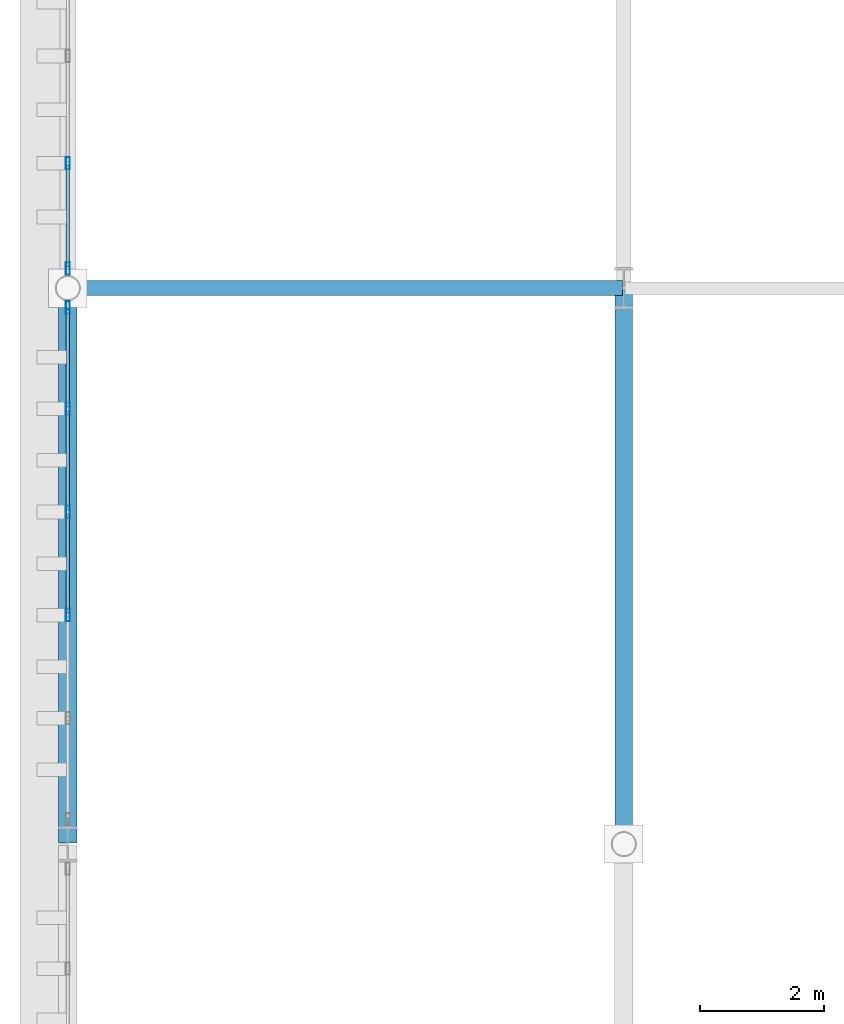
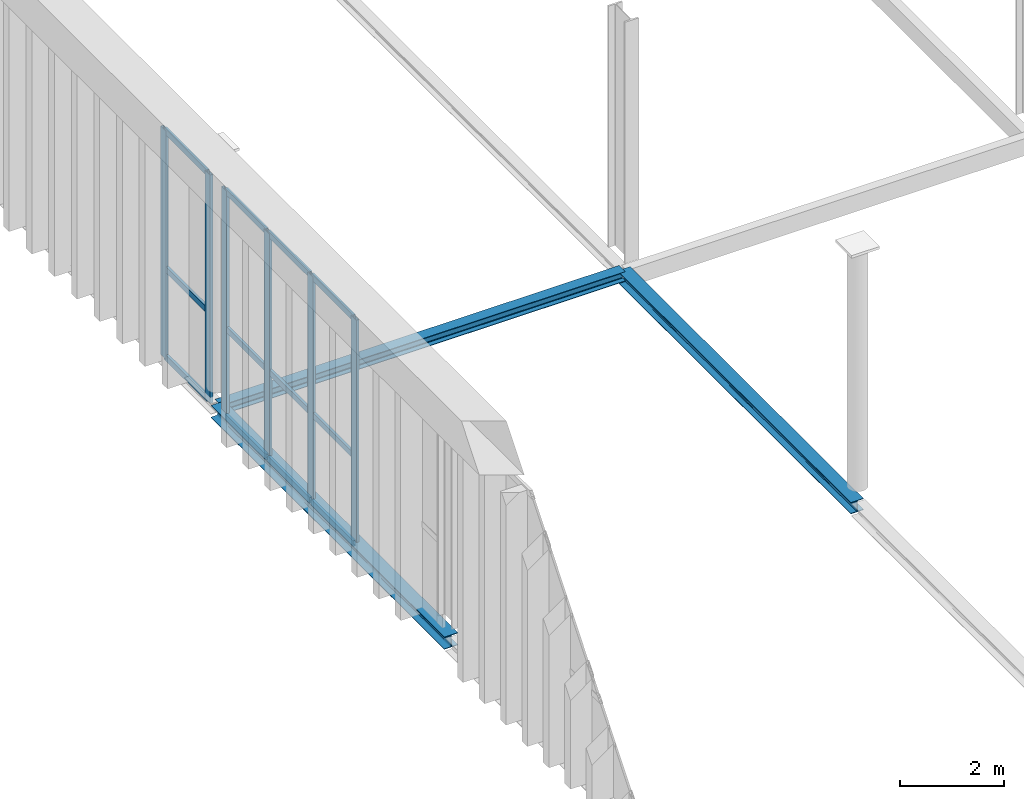
# One storey, part 94 of 237: 18 members, 3 beams, 2 elements without a shape of their own.
"""IFC4 building model written with IfcOpenShell, lengths in metres."""

import ifcopenshell
import ifcopenshell.guid

model = None  # the IFC model being written
_history = None  # IfcOwnerHistory: only IFC2X3 demands one
_inside = {}  # id of a spatial element -> (the spatial element, [elements in it])
_under = {}  # id of a project, library or spatial element -> (it, [spatial elements below it])
_declared = {}  # id of a project -> (the project, [libraries it declares])
_typed = {}  # id of a type object -> (the type object, [elements of that type])
_made_of = {}  # id of a material, layer set ... -> (it, [elements and type objects made of it])


def new_model(schema):
    """Start an empty IFC model of exactly this schema.

    Asked for "IFC4X3", IfcOpenShell would pick the latest addendum, in which some entities
    have other attributes; the version numbers below select the first issue.
    IFC2X3 requires an IfcOwnerHistory on every rooted entity: one is made here for all.
    """
    global model, _history
    if schema == "IFC4X3":
        model = ifcopenshell.file(schema_version=(4, 3, 0, 0))
    else:
        model = ifcopenshell.file(schema=schema)
    _inside.clear()
    _under.clear()
    _declared.clear()
    _typed.clear()
    _made_of.clear()
    _history = None
    if model.schema == "IFC2X3":
        org = make("IfcOrganization", Name="unknown")
        user = make(
            "IfcPersonAndOrganization",
            ThePerson=make("IfcPerson", FamilyName="unknown"),
            TheOrganization=org,
        )
        app = make(
            "IfcApplication",
            ApplicationDeveloper=org,
            Version="unknown",
            ApplicationFullName="unknown",
            ApplicationIdentifier="unknown",
        )
        _history = make(
            "IfcOwnerHistory",
            OwningUser=user,
            OwningApplication=app,
            ChangeAction="ADDED",
            CreationDate=0,
        )
    return model


def make(cls, **values):
    """One entity of the class cls with the attributes given. An attribute that is None is left unset."""
    return model.create_entity(
        cls, **{name: value for name, value in values.items() if value is not None}
    )


def rooted(cls, **values):
    """An entity with a GlobalId (a new one), such as an element, a storey or a relation."""
    return make(cls, GlobalId=ifcopenshell.guid.new(), OwnerHistory=_history, **values)


def si_unit(unit_type, name, prefix=None):
    """IfcSIUnit, for example si_unit("LENGTHUNIT", "METRE", prefix="MILLI")."""
    return make("IfcSIUnit", UnitType=unit_type, Prefix=prefix, Name=name)


def assignment(units):
    """IfcUnitAssignment: the units of a project."""
    return None if units is None else make("IfcUnitAssignment", Units=units)


def point(xyz):
    """IfcCartesianPoint."""
    return None if xyz is None else make("IfcCartesianPoint", Coordinates=xyz)


def direction(xyz):
    """IfcDirection."""
    return None if xyz is None else make("IfcDirection", DirectionRatios=xyz)


def frame(location, z_axis=None, x_axis=None):
    """IfcAxis2Placement3D, a coordinate frame: its origin and axes. An axis left out is left unset."""
    return make(
        "IfcAxis2Placement3D",
        Location=point(location),
        Axis=direction(z_axis),
        RefDirection=direction(x_axis),
    )


def frame_2d(location, x_axis=None):
    """IfcAxis2Placement2D, a coordinate frame in the plane: its origin and x axis."""
    return make(
        "IfcAxis2Placement2D", Location=point(location), RefDirection=direction(x_axis)
    )


def origin():
    """The frame at (0, 0, 0) with its axes left unset."""
    return frame((0.0, 0.0, 0.0))


def origin_2d():
    """The frame at (0, 0) in the plane with its x axis left unset."""
    return frame_2d((0.0, 0.0))


def place(relative_to, where):
    """IfcLocalPlacement: puts the frame where relative to a parent placement (None: the world)."""
    return make(
        "IfcLocalPlacement", PlacementRelTo=relative_to, RelativePlacement=where
    )


def context(
    kind, dimensions, precision=None, world=None, true_north=None, identifier=None
):
    """IfcGeometricRepresentationContext, for example the 3D "Model" context."""
    return make(
        "IfcGeometricRepresentationContext",
        ContextIdentifier=identifier,
        ContextType=kind,
        CoordinateSpaceDimension=dimensions,
        Precision=precision,
        WorldCoordinateSystem=world,
        TrueNorth=true_north,
    )


def subcontext(parent, identifier, kind, view, scale=None):
    """IfcGeometricRepresentationSubContext, for example "Body" below "Model"."""
    return make(
        "IfcGeometricRepresentationSubContext",
        ContextIdentifier=identifier,
        ContextType=kind,
        ParentContext=parent,
        TargetScale=scale,
        TargetView=view,
    )


def project(units=None, contexts=None):
    """IfcProject with its units and contexts."""
    return rooted(
        "IfcProject",
        Name="project",
        RepresentationContexts=contexts,
        UnitsInContext=assignment(units),
    )


def spatial(cls, under=None, at=None, **own):
    """A site, building, storey or space (cls), placed at a placement, below another one or the project."""
    s = rooted(cls, ObjectPlacement=at, **own)
    if under is not None:
        _under.setdefault(under.id(), (under, []))[1].append(s)
    return s


def profile(cls, at=None, kind="AREA", **sizes):
    """A parametric profile (cls). Its sizes go by their IFC names, for example OverallWidth=200.0."""
    return make(cls, ProfileType=kind, Position=at, **sizes)


def hollow_rectangle(**sizes):
    """IfcRectangleHollowProfileDef."""
    return profile("IfcRectangleHollowProfileDef", **sizes)


def i_section(**sizes):
    """IfcIShapeProfileDef."""
    return profile("IfcIShapeProfileDef", **sizes)


def extrude(swept, where, along, depth):
    """IfcExtrudedAreaSolid: the profile swept, set in the frame where, extruded along a direction by depth."""
    return make(
        "IfcExtrudedAreaSolid",
        SweptArea=swept,
        Position=where,
        ExtrudedDirection=direction(along),
        Depth=depth,
    )


def shape(context_of_items, identifier, shape_type, items):
    """IfcShapeRepresentation: the items that make up one representation, for example the "Body"."""
    return make(
        "IfcShapeRepresentation",
        ContextOfItems=context_of_items,
        RepresentationIdentifier=identifier,
        RepresentationType=shape_type,
        Items=items,
    )


def material(Name=None, Category=None):
    """IfcMaterial."""
    return make("IfcMaterial", Name=Name, Category=Category)


def layer(
    of_material, thickness, ventilated=None, Name=None, Category=None, Priority=None
):
    """IfcMaterialLayer: one layer of a wall or slab, of a material (None: an air gap)."""
    return make(
        "IfcMaterialLayer",
        Material=of_material,
        LayerThickness=thickness,
        IsVentilated=ventilated,
        Name=Name,
        Category=Category,
        Priority=Priority,
    )


def layer_set(layers, Name=None):
    """IfcMaterialLayerSet."""
    return make("IfcMaterialLayerSet", MaterialLayers=layers, LayerSetName=Name)


def material_profile(
    of_material, cross_section, Name=None, Category=None, Priority=None
):
    """IfcMaterialProfile: a cross section and its material."""
    return make(
        "IfcMaterialProfile",
        Name=Name,
        Material=of_material,
        Profile=cross_section,
        Priority=Priority,
        Category=Category,
    )


def profile_set(profiles, Name=None, composite=None):
    """IfcMaterialProfileSet."""
    return make(
        "IfcMaterialProfileSet",
        Name=Name,
        MaterialProfiles=profiles,
        CompositeProfile=composite,
    )


def made_of(thing, what):
    """Note that an element or type object is made of a material, layer set ...; save() writes the relation."""
    if what is not None:
        _made_of.setdefault(what.id(), (what, []))[1].append(thing)
    return thing


def type_object(cls, material=None, **own):
    """A type object (cls), such as IfcWallType, which elements share."""
    return made_of(rooted(cls, **own), material)


def element(
    cls,
    number,
    at=None,
    inside=None,
    cuts=None,
    type_object=None,
    material=None,
    context=None,
    identifier="Body",
    shape_type=None,
    held_by="IfcProductDefinitionShape",
    body=None,
    shapes=None,
    **own,
):
    """One element of the class cls, such as IfcWall. Its Tag is "e" and its number.

    at: its placement. inside: the storey or other place that contains it. cuts: it is an
    opening in that element (IfcRelVoidsElement). A single representation is given by context,
    identifier, shape_type and body (its items); several are given by shapes. held_by: the class
    of the entity that holds the representations. save() writes the other relations.
    """
    e = rooted(cls, Tag="e%d" % number, ObjectPlacement=at, **own)
    if body is not None:
        shapes = [shape(context, identifier, shape_type, body)]
    if shapes is not None:
        e.Representation = make(held_by, Representations=shapes)
    if inside is not None:
        _inside.setdefault(inside.id(), (inside, []))[1].append(e)
    if cuts is not None:
        rooted(
            "IfcRelVoidsElement", RelatingBuildingElement=cuts, RelatedOpeningElement=e
        )
    if type_object is not None:
        _typed.setdefault(type_object.id(), (type_object, []))[1].append(e)
    return made_of(e, material)


def aggregate(whole, parts):
    """IfcRelAggregates: a whole, such as a stair, and the parts it consists of."""
    return rooted("IfcRelAggregates", RelatingObject=whole, RelatedObjects=parts)


def save(model, path):
    """Write the relations noted so far, then the file.

    IfcRelAggregates (storeys below a building ...), IfcRelContainedInSpatialStructure (elements
    in a storey), IfcRelDefinesByType, IfcRelAssociatesMaterial and IfcRelDeclares: one each for
    every whole, place, type object, material and project.
    """
    for whole, parts in _under.values():
        aggregate(whole, parts)
    for where, things in _inside.values():
        rooted(
            "IfcRelContainedInSpatialStructure",
            RelatedElements=things,
            RelatingStructure=where,
        )
    for kind, things in _typed.values():
        rooted("IfcRelDefinesByType", RelatedObjects=things, RelatingType=kind)
    for what, things in _made_of.values():
        rooted("IfcRelAssociatesMaterial", RelatedObjects=things, RelatingMaterial=what)
    for by, libraries in _declared.values():
        rooted("IfcRelDeclares", RelatingContext=by, RelatedDefinitions=libraries)
    model.write(path)


model = new_model("IFC4")

# Units and contexts
model_context = context("Model", 3, precision=1e-05, world=origin(), true_north=direction((0.0, 1.0)))
body_context = subcontext(model_context, "Body", "Model", "MODEL_VIEW")
ifc_project = project(units=[si_unit("LENGTHUNIT", "METRE"), si_unit("AREAUNIT", "SQUARE_METRE"), si_unit("VOLUMEUNIT", "CUBIC_METRE"), si_unit("PLANEANGLEUNIT", "RADIAN"), si_unit("MASSUNIT", "GRAM", prefix="KILO")], contexts=[model_context])

# Site, building, storey
site_placement = place(None, origin())
site = spatial("IfcSite", under=ifc_project, at=site_placement, CompositionType="ELEMENT")
building_placement = place(site_placement, origin())
building = spatial("IfcBuilding", under=site, at=building_placement, Name="Barlavento Convention Centre", CompositionType="ELEMENT")
storey_placement = place(building_placement, frame((0.0, 0.0, 12.0)))
storey = spatial("IfcBuildingStorey", under=building, at=storey_placement, Name="L02", CompositionType="ELEMENT", Elevation=12.0)

# Curtain wall, members
ifc_material_1 = material(Name="Powder-coated aluminium and Low-E glass", Category="aluminium")
ifc_layer = layer(ifc_material_1, 0.18505859375)
ifc_layer_set = layer_set([ifc_layer], Name="ARC-CW-EXH-L02")
curtain_wall_type = type_object("IfcCurtainWallType", Name="ARC-CW-EXH-L02", PredefinedType="NOTDEFINED", material=ifc_layer_set)
curtain_wall_1_placement = place(storey_placement, origin())
curtain_wall_1 = element("IfcCurtainWall", 1, at=curtain_wall_1_placement, inside=storey, type_object=curtain_wall_type, Name="L02 unitised curtain wall CW05", PredefinedType="NOTDEFINED")
ifc_material_2 = material(Name="Powder-coated aluminium", Category="aluminium")
ifc_material_profile_1 = material_profile(ifc_material_2, hollow_rectangle(XDim=0.06494140625, YDim=0.199951171875, WallThickness=0.0048828125, at=origin_2d()), Name="AL-MULL 65x200x5")
ifc_profile_set_1 = profile_set([ifc_material_profile_1], Name="Powder-coated aluminium")
member_type_1 = type_object("IfcMemberType", Name="ARC-CWM-65X200", PredefinedType="MULLION", material=ifc_profile_set_1)
member_1_placement = place(storey_placement, frame((0.0, 111.706298828125, -0.5), z_axis=(0.0, 0.0, 1.0), x_axis=(-1.0, 0.0, 0.0)))
member_1 = element("IfcMember", 2, at=member_1_placement, type_object=member_type_1, Name="CW05 mullion 3", PredefinedType="MULLION", context=body_context, shape_type="SweptSolid", body=[
    extrude(hollow_rectangle(XDim=0.06494140625, YDim=0.199951171875, WallThickness=0.0048828125, at=origin_2d()), origin(), (0.0, 0.0, 1.0), 5.35009765625),
])
member_2_placement = place(storey_placement, frame((0.0, 113.37646484375, -0.5), z_axis=(0.0, 0.0, 1.0), x_axis=(-1.0, 0.0, 0.0)))
member_2 = element("IfcMember", 3, at=member_2_placement, type_object=member_type_1, Name="CW05 mullion 4", PredefinedType="MULLION", context=body_context, shape_type="SweptSolid", body=[
    extrude(hollow_rectangle(XDim=0.06494140625, YDim=0.199951171875, WallThickness=0.0048828125, at=origin_2d()), origin(), (0.0, 0.0, 1.0), 5.35009765625),
])
member_3_placement = place(storey_placement, frame((0.0, 115.046630859375, -0.5), z_axis=(0.0, 0.0, 1.0), x_axis=(-1.0, 0.0, 0.0)))
member_3 = element("IfcMember", 4, at=member_3_placement, type_object=member_type_1, Name="CW05 mullion 5", PredefinedType="MULLION", context=body_context, shape_type="SweptSolid", body=[
    extrude(hollow_rectangle(XDim=0.06494140625, YDim=0.199951171875, WallThickness=0.0048828125, at=origin_2d()), origin(), (0.0, 0.0, 1.0), 5.35009765625),
])
member_4_placement = place(storey_placement, frame((0.0, 116.684326171875, -0.5), z_axis=(0.0, 0.0, 1.0), x_axis=(-1.0, 0.0, 0.0)))
member_4 = element("IfcMember", 5, at=member_4_placement, type_object=member_type_1, Name="CW05 mullion 6", PredefinedType="MULLION", context=body_context, shape_type="SweptSolid", body=[
    extrude(hollow_rectangle(XDim=0.06494140625, YDim=0.199951171875, WallThickness=0.0048828125, at=origin_2d()), origin(), (0.0, 0.0, 1.0), 5.35009765625),
])

curtain_wall_2_placement = place(storey_placement, origin())
curtain_wall_2 = element("IfcCurtainWall", 6, at=curtain_wall_2_placement, inside=storey, type_object=curtain_wall_type, Name="L02 unitised curtain wall CW05", PredefinedType="NOTDEFINED")
member_5_placement = place(storey_placement, frame((0.0, 117.315673828125, -0.5), z_axis=(0.0, 0.0, 1.0), x_axis=(-1.0, 0.0, 0.0)))
member_5 = element("IfcMember", 7, at=member_5_placement, type_object=member_type_1, Name="CW05 mullion 1", PredefinedType="MULLION", context=body_context, shape_type="SweptSolid", body=[
    extrude(hollow_rectangle(XDim=0.06494140625, YDim=0.199951171875, WallThickness=0.0048828125, at=origin_2d()), origin(), (0.0, 0.0, 1.0), 5.35009765625),
])
member_6_placement = place(storey_placement, frame((0.0, 119.020751953125, -0.5), z_axis=(0.0, 0.0, 1.0), x_axis=(-1.0, 0.0, 0.0)))
member_6 = element("IfcMember", 8, at=member_6_placement, type_object=member_type_1, Name="CW05 mullion 2", PredefinedType="MULLION", context=body_context, shape_type="SweptSolid", body=[
    extrude(hollow_rectangle(XDim=0.06494140625, YDim=0.199951171875, WallThickness=0.0048828125, at=origin_2d()), origin(), (0.0, 0.0, 1.0), 5.35009765625),
])

# Member
ifc_material_profile_2 = material_profile(ifc_material_2, hollow_rectangle(XDim=0.06005859375, YDim=0.139892578125, WallThickness=0.00390625, at=origin_2d()), Name="AL-TRAN 60x140x4")
ifc_profile_set_2 = profile_set([ifc_material_profile_2], Name="Powder-coated aluminium")
member_type_2 = type_object("IfcMemberType", Name="ARC-CWT-60X140", PredefinedType="USERDEFINED", material=ifc_profile_set_2)
member_7_placement = place(storey_placement, frame((0.0, 111.73876953125, -0.469970703125), z_axis=(0.0, 1.0, 0.0), x_axis=(-1.0, 0.0, 0.0)))
member_7 = element("IfcMember", 9, at=member_7_placement, type_object=member_type_2, Name="CW05 transom 3.1", ObjectType="TRANSOM", PredefinedType="USERDEFINED", context=body_context, shape_type="SweptSolid", body=[
    extrude(hollow_rectangle(XDim=0.06005859375, YDim=0.139892578125, WallThickness=0.00390625, at=origin_2d()), origin(), (0.0, 0.0, 1.0), 1.605224609375),
])

member_8_placement = place(storey_placement, frame((0.0, 111.73876953125, 1.60009765625), z_axis=(0.0, 1.0, 0.0), x_axis=(-1.0, 0.0, 0.0)))
member_8 = element("IfcMember", 10, at=member_8_placement, type_object=member_type_2, Name="CW05 transom 3.2", ObjectType="TRANSOM", PredefinedType="USERDEFINED", context=body_context, shape_type="SweptSolid", body=[
    extrude(hollow_rectangle(XDim=0.06005859375, YDim=0.139892578125, WallThickness=0.00390625, at=origin_2d()), origin(), (0.0, 0.0, 1.0), 1.605224609375),
])

member_9_placement = place(storey_placement, frame((0.0, 111.73876953125, 4.820068359375), z_axis=(0.0, 1.0, 0.0), x_axis=(-1.0, 0.0, 0.0)))
member_9 = element("IfcMember", 11, at=member_9_placement, type_object=member_type_2, Name="CW05 transom 3.3", ObjectType="TRANSOM", PredefinedType="USERDEFINED", context=body_context, shape_type="SweptSolid", body=[
    extrude(hollow_rectangle(XDim=0.06005859375, YDim=0.139892578125, WallThickness=0.00390625, at=origin_2d()), origin(), (0.0, 0.0, 1.0), 1.605224609375),
])

member_10_placement = place(storey_placement, frame((0.0, 113.408935546875, -0.469970703125), z_axis=(0.0, 1.0, 0.0), x_axis=(-1.0, 0.0, 0.0)))
member_10 = element("IfcMember", 12, at=member_10_placement, type_object=member_type_2, Name="CW05 transom 4.1", ObjectType="TRANSOM", PredefinedType="USERDEFINED", context=body_context, shape_type="SweptSolid", body=[
    extrude(hollow_rectangle(XDim=0.06005859375, YDim=0.139892578125, WallThickness=0.00390625, at=origin_2d()), origin(), (0.0, 0.0, 1.0), 1.605224609375),
])

member_11_placement = place(storey_placement, frame((0.0, 113.408935546875, 1.60009765625), z_axis=(0.0, 1.0, 0.0), x_axis=(-1.0, 0.0, 0.0)))
member_11 = element("IfcMember", 13, at=member_11_placement, type_object=member_type_2, Name="CW05 transom 4.2", ObjectType="TRANSOM", PredefinedType="USERDEFINED", context=body_context, shape_type="SweptSolid", body=[
    extrude(hollow_rectangle(XDim=0.06005859375, YDim=0.139892578125, WallThickness=0.00390625, at=origin_2d()), origin(), (0.0, 0.0, 1.0), 1.605224609375),
])

member_12_placement = place(storey_placement, frame((0.0, 113.408935546875, 4.820068359375), z_axis=(0.0, 1.0, 0.0), x_axis=(-1.0, 0.0, 0.0)))
member_12 = element("IfcMember", 14, at=member_12_placement, type_object=member_type_2, Name="CW05 transom 4.3", ObjectType="TRANSOM", PredefinedType="USERDEFINED", context=body_context, shape_type="SweptSolid", body=[
    extrude(hollow_rectangle(XDim=0.06005859375, YDim=0.139892578125, WallThickness=0.00390625, at=origin_2d()), origin(), (0.0, 0.0, 1.0), 1.605224609375),
])

member_13_placement = place(storey_placement, frame((0.0, 115.0791015625, -0.469970703125), z_axis=(0.0, 1.0, 0.0), x_axis=(-1.0, 0.0, 0.0)))
member_13 = element("IfcMember", 15, at=member_13_placement, type_object=member_type_2, Name="CW05 transom 5.1", ObjectType="TRANSOM", PredefinedType="USERDEFINED", context=body_context, shape_type="SweptSolid", body=[
    extrude(hollow_rectangle(XDim=0.06005859375, YDim=0.139892578125, WallThickness=0.00390625, at=origin_2d()), origin(), (0.0, 0.0, 1.0), 1.57275390625),
])

member_14_placement = place(storey_placement, frame((0.0, 115.0791015625, 1.60009765625), z_axis=(0.0, 1.0, 0.0), x_axis=(-1.0, 0.0, 0.0)))
member_14 = element("IfcMember", 16, at=member_14_placement, type_object=member_type_2, Name="CW05 transom 5.2", ObjectType="TRANSOM", PredefinedType="USERDEFINED", context=body_context, shape_type="SweptSolid", body=[
    extrude(hollow_rectangle(XDim=0.06005859375, YDim=0.139892578125, WallThickness=0.00390625, at=origin_2d()), origin(), (0.0, 0.0, 1.0), 1.57275390625),
])

member_15_placement = place(storey_placement, frame((0.0, 115.0791015625, 4.820068359375), z_axis=(0.0, 1.0, 0.0), x_axis=(-1.0, 0.0, 0.0)))
member_15 = element("IfcMember", 17, at=member_15_placement, type_object=member_type_2, Name="CW05 transom 5.3", ObjectType="TRANSOM", PredefinedType="USERDEFINED", context=body_context, shape_type="SweptSolid", body=[
    extrude(hollow_rectangle(XDim=0.06005859375, YDim=0.139892578125, WallThickness=0.00390625, at=origin_2d()), origin(), (0.0, 0.0, 1.0), 1.57275390625),
])

aggregate(curtain_wall_1, [member_1, member_2, member_3, member_4, member_7, member_8, member_9, member_10, member_11, member_12, member_13, member_14, member_15])

member_16_placement = place(storey_placement, frame((0.0, 117.34814453125, -0.469970703125), z_axis=(0.0, 1.0, 0.0), x_axis=(-1.0, 0.0, 0.0)))
member_16 = element("IfcMember", 18, at=member_16_placement, type_object=member_type_2, Name="CW05 transom 1.1", ObjectType="TRANSOM", PredefinedType="USERDEFINED", context=body_context, shape_type="SweptSolid", body=[
    extrude(hollow_rectangle(XDim=0.06005859375, YDim=0.139892578125, WallThickness=0.00390625, at=origin_2d()), origin(), (0.0, 0.0, 1.0), 1.64013671875),
])

member_17_placement = place(storey_placement, frame((0.0, 117.34814453125, 1.60009765625), z_axis=(0.0, 1.0, 0.0), x_axis=(-1.0, 0.0, 0.0)))
member_17 = element("IfcMember", 19, at=member_17_placement, type_object=member_type_2, Name="CW05 transom 1.2", ObjectType="TRANSOM", PredefinedType="USERDEFINED", context=body_context, shape_type="SweptSolid", body=[
    extrude(hollow_rectangle(XDim=0.06005859375, YDim=0.139892578125, WallThickness=0.00390625, at=origin_2d()), origin(), (0.0, 0.0, 1.0), 1.64013671875),
])

member_18_placement = place(storey_placement, frame((0.0, 117.34814453125, 4.820068359375), z_axis=(0.0, 1.0, 0.0), x_axis=(-1.0, 0.0, 0.0)))
member_18 = element("IfcMember", 20, at=member_18_placement, type_object=member_type_2, Name="CW05 transom 1.3", ObjectType="TRANSOM", PredefinedType="USERDEFINED", context=body_context, shape_type="SweptSolid", body=[
    extrude(hollow_rectangle(XDim=0.06005859375, YDim=0.139892578125, WallThickness=0.00390625, at=origin_2d()), origin(), (0.0, 0.0, 1.0), 1.64013671875),
])

aggregate(curtain_wall_2, [member_5, member_6, member_16, member_17, member_18])

# Beams
ifc_material_3 = material(Name="Steel S355", Category="steel")
ifc_material_profile_3 = material_profile(ifc_material_3, i_section(OverallWidth=0.239990234375, OverallDepth=0.22998046875, WebThickness=0.007568359375, FlangeThickness=0.011962890625, FilletRadius=0.02099609375, at=origin_2d()), Name="HEA 240")
ifc_profile_set_3 = profile_set([ifc_material_profile_3], Name="Steel S355")
beam_type_1 = type_object("IfcBeamType", Name="STR-BM-SPN-HEA240", PredefinedType="SPANDREL", material=ifc_profile_set_3)
beam_1_placement = place(storey_placement, frame((0.02001953125, 117.0, -0.47509765625), z_axis=(1.0, 0.0, 0.0), x_axis=(0.0, 1.0, 0.0)))
element("IfcBeam", 21, at=beam_1_placement, inside=storey, type_object=beam_type_1, Name="L02 primary girder SP05", PredefinedType="SPANDREL", context=body_context, shape_type="SweptSolid", body=[
    extrude(i_section(OverallWidth=0.239990234375, OverallDepth=0.22998046875, WebThickness=0.007568359375, FlangeThickness=0.011962890625, FilletRadius=0.02099609375, at=origin_2d()), origin(), (0.0, 0.0, 1.0), 8.9599609375),
])
ifc_material_profile_4 = material_profile(ifc_material_3, i_section(OverallWidth=0.280029296875, OverallDepth=0.27001953125, WebThickness=0.008056640625, FlangeThickness=0.012939453125, FilletRadius=0.02392578125, at=origin_2d()), Name="HEA 280")
ifc_profile_set_4 = profile_set([ifc_material_profile_4], Name="Steel S355")
beam_type_2 = type_object("IfcBeamType", Name="STR-BM-SPN-HEA280", PredefinedType="SPANDREL", material=ifc_profile_set_4)
beam_2_placement = place(storey_placement, frame((9.0, 108.02001953125, -0.4951171875), z_axis=(0.0, 1.0, 0.0), x_axis=(-1.0, 0.0, 0.0)))
element("IfcBeam", 22, at=beam_2_placement, inside=storey, type_object=beam_type_2, Name="L02 grid girder SP03", PredefinedType="SPANDREL", context=body_context, shape_type="SweptSolid", body=[
    extrude(i_section(OverallWidth=0.280029296875, OverallDepth=0.27001953125, WebThickness=0.008056640625, FlangeThickness=0.012939453125, FilletRadius=0.02392578125, at=origin_2d()), origin(), (0.0, 0.0, 1.0), 8.9599609375),
])
ifc_material_profile_5 = material_profile(ifc_material_3, i_section(OverallWidth=0.300048828125, OverallDepth=0.2900390625, WebThickness=0.008544921875, FlangeThickness=0.013916015625, FilletRadius=0.027099609375, at=origin_2d()), Name="HEA 300")
ifc_profile_set_5 = profile_set([ifc_material_profile_5], Name="Steel S355")
beam_type_3 = type_object("IfcBeamType", Name="STR-BM-SPN-HEA300", PredefinedType="SPANDREL", material=ifc_profile_set_5)
beam_3_placement = place(storey_placement, frame((0.0, 108.02001953125, -0.5048828125), z_axis=(0.0, 1.0, 0.0), x_axis=(-1.0, 0.0, 0.0)))
element("IfcBeam", 23, at=beam_3_placement, inside=storey, type_object=beam_type_3, Name="L02 grid girder SP02", PredefinedType="SPANDREL", context=body_context, shape_type="SweptSolid", body=[
    extrude(i_section(OverallWidth=0.300048828125, OverallDepth=0.2900390625, WebThickness=0.008544921875, FlangeThickness=0.013916015625, FilletRadius=0.027099609375, at=origin_2d()), origin(), (0.0, 0.0, 1.0), 8.9599609375),
])

save(model, "model.ifc")
